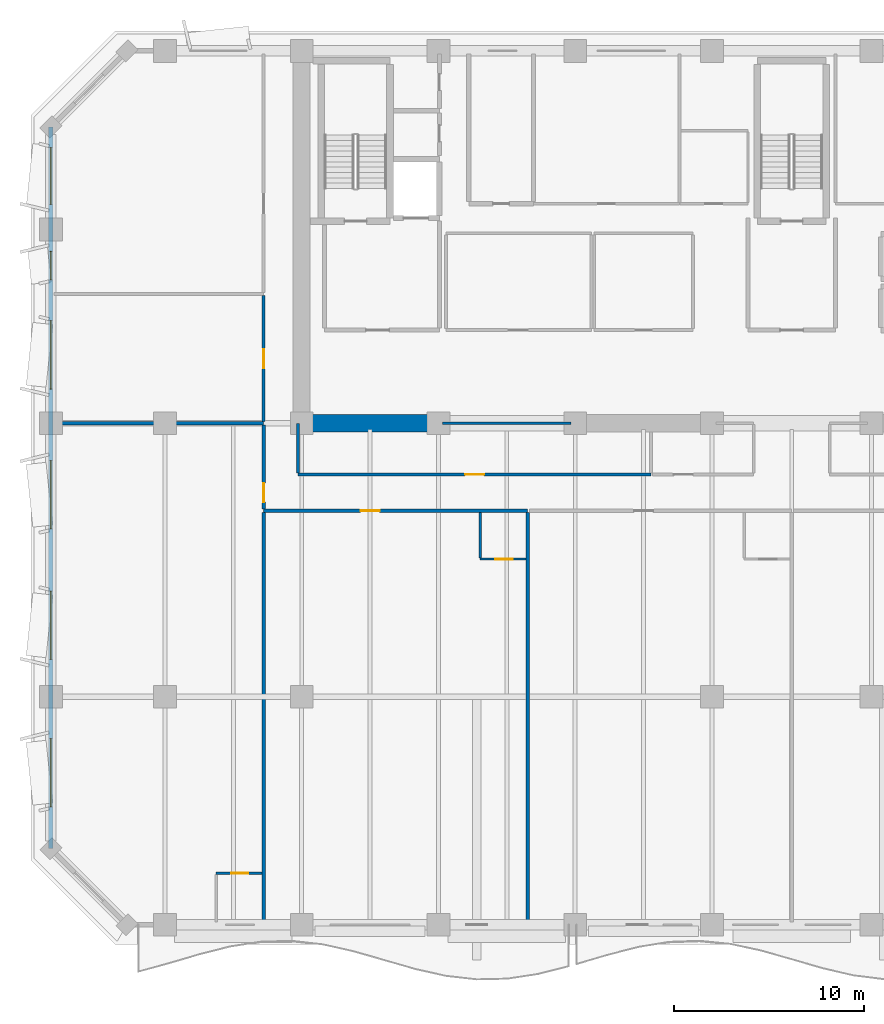
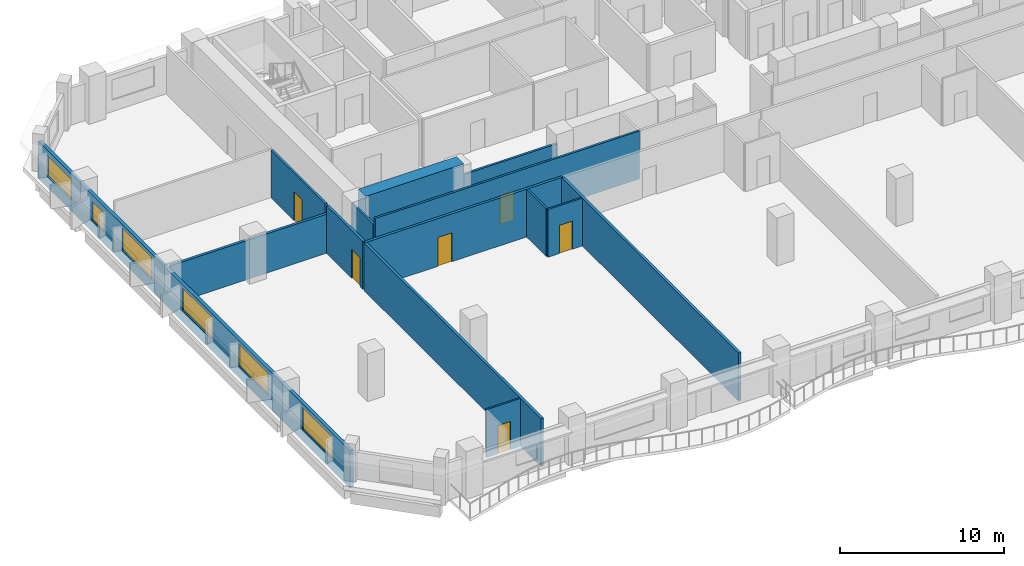
# One storey, part 4 of 14: 14 walls, 6 doors, 6 windows, 12 openings.
"""IFC4 building model written with IfcOpenShell, lengths in metres."""

from ifc_helpers import new_model, si_unit, direction, frame, frame_2d, origin, place, context, subcontext, project, spatial, rectangle, extrude, material, layer, layer_set, type_object, element, fill, save


model = new_model("IFC4")

# Units and contexts
model_context = context("Model", 3, precision=1e-05, world=origin(), true_north=direction((0.0, 1.0)))
body_context = subcontext(model_context, "Body", "Model", "MODEL_VIEW")
ifc_project = project(units=[si_unit("LENGTHUNIT", "METRE"), si_unit("AREAUNIT", "SQUARE_METRE"), si_unit("VOLUMEUNIT", "CUBIC_METRE"), si_unit("PLANEANGLEUNIT", "RADIAN"), si_unit("MASSUNIT", "GRAM", prefix="KILO")], contexts=[model_context])

# Site, building, storey
site_placement = place(None, origin())
site = spatial("IfcSite", under=ifc_project, at=site_placement, CompositionType="ELEMENT")
building_placement = place(site_placement, origin())
building = spatial("IfcBuilding", under=site, at=building_placement, Name="Kaelvorn Grand Hotel", CompositionType="ELEMENT")
storey_placement = place(building_placement, frame((0.0, 0.0, 212.949951171875)))
storey = spatial("IfcBuildingStorey", under=building, at=storey_placement, Name="L52", CompositionType="ELEMENT", Elevation=212.949951171875)

# Wall
ifc_material_1 = material(Name="Concrete C60/75", Category="concrete")
ifc_layer_1 = layer(ifc_material_1, 0.89990234375)
ifc_layer_set_1 = layer_set([ifc_layer_1], Name="Concrete C60/75")
wall_type_1 = type_object("IfcWallType", Name="WL-CORE-900-C60", PredefinedType="SHEAR", material=ifc_layer_set_1)
wall_1_placement = place(storey_placement, frame((16.655029296875, 29.39990234375, 0.0), z_axis=(0.0, 0.0, 1.0), x_axis=(1.0, 0.0, 0.0)))
element("IfcWall", 1, at=wall_1_placement, inside=storey, type_object=wall_type_1, Name="L52 Rear-Core Coupled Shear Pier S1", PredefinedType="SHEAR", context=body_context, shape_type="SweptSolid", body=[
    extrude(rectangle(XDim=6.945068359375, YDim=0.89990234375, at=frame_2d((3.47265625, 0.0))), origin(), (0.0, 0.0, 1.0), 3.56005859375),
])

# Wall, openings, windows
ifc_material_2 = material(Name="Concrete C40/50", Category="concrete")
ifc_layer_2 = layer(ifc_material_2, 0.239990234375)
ifc_layer_set_2 = layer_set([ifc_layer_2], Name="Concrete C40/50")
wall_type_2 = type_object("IfcWallType", Name="WL-EXT-240-C40", PredefinedType="SOLIDWALL", material=ifc_layer_set_2)
wall_2_placement = place(storey_placement, frame((3.0, 45.0, 0.0), z_axis=(0.0, 0.0, 1.0), x_axis=(0.0, -1.0, 0.0)))
wall_2 = element("IfcWall", 2, at=wall_2_placement, inside=storey, type_object=wall_type_2, Name="L52 Exterior Architectural Concrete Wall 07", PredefinedType="SOLIDWALL", context=body_context, shape_type="SweptSolid", body=[
    extrude(rectangle(XDim=38.0, YDim=0.239990234375, at=frame_2d((19.0, 0.0))), origin(), (0.0, 0.0, 1.0), 2.760009765625),
])
opening_1_placement = place(wall_2_placement, frame((32.199951171875, 0.0, 0.85009765625)))
opening_1 = element("IfcOpeningElement", 3, at=opening_1_placement, cuts=wall_2, Name="Opening W3", PredefinedType="OPENING", context=body_context, shape_type="SweptSolid", body=[
    extrude(rectangle(XDim=3.60009765625, YDim=1.64990234375, at=frame_2d((1.800048828125, 0.824951171875))), frame((0.0, 0.1298828125, 0.0), z_axis=(0.0, -1.0, 0.0), x_axis=(1.0, 0.0, 0.0)), (0.0, 0.0, 1.0), 0.260009765625),
])
opening_2_placement = place(wall_2_placement, frame((24.43505859375, 0.0, 0.85009765625)))
opening_2 = element("IfcOpeningElement", 4, at=opening_2_placement, cuts=wall_2, Name="Opening W3", PredefinedType="OPENING", context=body_context, shape_type="SweptSolid", body=[
    extrude(rectangle(XDim=3.60009765625, YDim=1.64990234375, at=frame_2d((1.800048828125, 0.824951171875))), frame((0.0, 0.1298828125, 0.0), z_axis=(0.0, -1.0, 0.0), x_axis=(1.0, 0.0, 0.0)), (0.0, 0.0, 1.0), 0.260009765625),
])
opening_3_placement = place(wall_2_placement, frame((17.56494140625, 0.0, 0.85009765625)))
opening_3 = element("IfcOpeningElement", 5, at=opening_3_placement, cuts=wall_2, Name="Opening W3", PredefinedType="OPENING", context=body_context, shape_type="SweptSolid", body=[
    extrude(rectangle(XDim=3.60009765625, YDim=1.64990234375, at=frame_2d((1.800048828125, 0.824951171875))), frame((0.0, 0.1298828125, 0.0), z_axis=(0.0, -1.0, 0.0), x_axis=(1.0, 0.0, 0.0)), (0.0, 0.0, 1.0), 0.260009765625),
])
opening_4_placement = place(wall_2_placement, frame((10.199951171875, 0.0, 0.85009765625)))
opening_4 = element("IfcOpeningElement", 6, at=opening_4_placement, cuts=wall_2, Name="Opening W3", PredefinedType="OPENING", context=body_context, shape_type="SweptSolid", body=[
    extrude(rectangle(XDim=3.60009765625, YDim=1.64990234375, at=frame_2d((1.800048828125, 0.824951171875))), frame((0.0, 0.1298828125, 0.0), z_axis=(0.0, -1.0, 0.0), x_axis=(1.0, 0.0, 0.0)), (0.0, 0.0, 1.0), 0.260009765625),
])
opening_5_placement = place(wall_2_placement, frame((6.550048828125, 0.0, 0.85009765625)))
opening_5 = element("IfcOpeningElement", 7, at=opening_5_placement, cuts=wall_2, Name="Opening W10", PredefinedType="OPENING", context=body_context, shape_type="SweptSolid", body=[
    extrude(rectangle(XDim=1.5, YDim=1.39990234375, at=frame_2d((0.75, 0.699951171875))), frame((0.0, 0.1298828125, 0.0), z_axis=(0.0, -1.0, 0.0), x_axis=(1.0, 0.0, 0.0)), (0.0, 0.0, 1.0), 0.260009765625),
])
opening_6_placement = place(wall_2_placement, frame((1.0849609375, 0.0, 0.85009765625)))
opening_6 = element("IfcOpeningElement", 8, at=opening_6_placement, cuts=wall_2, Name="Opening W5", PredefinedType="OPENING", context=body_context, shape_type="SweptSolid", body=[
    extrude(rectangle(XDim=3.0, YDim=1.5, at=frame_2d((1.5, 0.75))), frame((0.0, 0.1298828125, 0.0), z_axis=(0.0, -1.0, 0.0), x_axis=(1.0, 0.0, 0.0)), (0.0, 0.0, 1.0), 0.260009765625),
])
ifc_material_3 = material(Name="Laminated Low-E Glass", Category="glass")
window_type_1 = type_object("IfcWindowType", Name="WIN-COR-1500x1400", PartitioningType="SINGLE_PANEL", PredefinedType="WINDOW", material=ifc_material_3)
window_1_placement = place(opening_5_placement, origin())
window_1 = element("IfcWindow", 9, at=window_1_placement, inside=storey, type_object=window_type_1, Name="L52 W Wing Tilted-Frame Ribbon Window W05", OverallHeight=1.39990234375, OverallWidth=1.5, PartitioningType="SINGLE_PANEL", PredefinedType="WINDOW", context=body_context, shape_type="SweptSolid", body=[
    extrude(rectangle(XDim=1.5, YDim=1.39990234375, at=frame_2d((0.75, 0.699951171875))), frame((0.0, 0.030029296875, 0.0), z_axis=(0.0, -1.0, 0.0), x_axis=(1.0, 0.0, 0.0)), (0.0, 0.0, 1.0), 0.06005859375),
])
fill(opening_5, window_1)
window_type_2 = type_object("IfcWindowType", Name="WIN-NTH-3000x1500", PartitioningType="SINGLE_PANEL", PredefinedType="WINDOW", material=ifc_material_3)
window_2_placement = place(opening_6_placement, origin())
window_2 = element("IfcWindow", 10, at=window_2_placement, inside=storey, type_object=window_type_2, Name="L52 W Wing Tilted-Frame Ribbon Window W06", OverallHeight=1.5, OverallWidth=3.0, PartitioningType="SINGLE_PANEL", PredefinedType="WINDOW", context=body_context, shape_type="SweptSolid", body=[
    extrude(rectangle(XDim=3.0, YDim=1.5, at=frame_2d((1.5, 0.75))), frame((0.0, 0.030029296875, 0.0), z_axis=(0.0, -1.0, 0.0), x_axis=(1.0, 0.0, 0.0)), (0.0, 0.0, 1.0), 0.06005859375),
])
fill(opening_6, window_2)
window_type_3 = type_object("IfcWindowType", Name="WIN-RIB-3600x1750", PartitioningType="SINGLE_PANEL", PredefinedType="WINDOW", material=ifc_material_3)
window_3_placement = place(opening_1_placement, origin())
window_3 = element("IfcWindow", 11, at=window_3_placement, inside=storey, type_object=window_type_3, Name="L52 W Wing Tilted-Frame Ribbon Window W01", OverallHeight=1.64990234375, OverallWidth=3.60009765625, PartitioningType="SINGLE_PANEL", PredefinedType="WINDOW", context=body_context, shape_type="SweptSolid", body=[
    extrude(rectangle(XDim=3.60009765625, YDim=1.64990234375, at=frame_2d((1.800048828125, 0.824951171875))), frame((0.0, 0.030029296875, 0.0), z_axis=(0.0, -1.0, 0.0), x_axis=(1.0, 0.0, 0.0)), (0.0, 0.0, 1.0), 0.06005859375),
])
fill(opening_1, window_3)
window_4_placement = place(opening_2_placement, origin())
window_4 = element("IfcWindow", 12, at=window_4_placement, inside=storey, type_object=window_type_3, Name="L52 W Wing Tilted-Frame Ribbon Window W02", OverallHeight=1.64990234375, OverallWidth=3.60009765625, PartitioningType="SINGLE_PANEL", PredefinedType="WINDOW", context=body_context, shape_type="SweptSolid", body=[
    extrude(rectangle(XDim=3.60009765625, YDim=1.64990234375, at=frame_2d((1.800048828125, 0.824951171875))), frame((0.0, 0.030029296875, 0.0), z_axis=(0.0, -1.0, 0.0), x_axis=(1.0, 0.0, 0.0)), (0.0, 0.0, 1.0), 0.06005859375),
])
fill(opening_2, window_4)
window_5_placement = place(opening_3_placement, origin())
window_5 = element("IfcWindow", 13, at=window_5_placement, inside=storey, type_object=window_type_3, Name="L52 W Wing Tilted-Frame Ribbon Window W03", OverallHeight=1.64990234375, OverallWidth=3.60009765625, PartitioningType="SINGLE_PANEL", PredefinedType="WINDOW", context=body_context, shape_type="SweptSolid", body=[
    extrude(rectangle(XDim=3.60009765625, YDim=1.64990234375, at=frame_2d((1.800048828125, 0.824951171875))), frame((0.0, 0.030029296875, 0.0), z_axis=(0.0, -1.0, 0.0), x_axis=(1.0, 0.0, 0.0)), (0.0, 0.0, 1.0), 0.06005859375),
])
fill(opening_3, window_5)
window_6_placement = place(opening_4_placement, origin())
window_6 = element("IfcWindow", 14, at=window_6_placement, inside=storey, type_object=window_type_3, Name="L52 W Wing Tilted-Frame Ribbon Window W04", OverallHeight=1.64990234375, OverallWidth=3.60009765625, PartitioningType="SINGLE_PANEL", PredefinedType="WINDOW", context=body_context, shape_type="SweptSolid", body=[
    extrude(rectangle(XDim=3.60009765625, YDim=1.64990234375, at=frame_2d((1.800048828125, 0.824951171875))), frame((0.0, 0.030029296875, 0.0), z_axis=(0.0, -1.0, 0.0), x_axis=(1.0, 0.0, 0.0)), (0.0, 0.0, 1.0), 0.06005859375),
])
fill(opening_4, window_6)

# Wall, opening, door
ifc_material_4 = material(Name="Moisture-Resistant Tile & Stud Board")
ifc_layer_3 = layer(ifc_material_4, 0.125)
ifc_layer_set_3 = layer_set([ifc_layer_3], Name="Moisture-Resistant Tile & Stud Board")
wall_type_3 = type_object("IfcWallType", Name="WL-PART-125-WET", PredefinedType="PARTITIONING", material=ifc_layer_set_3)
wall_3_placement = place(storey_placement, frame((25.60009765625, 22.25, 0.0), z_axis=(0.0, 0.0, 1.0), x_axis=(1.0, 0.0, 0.0)))
wall_3 = element("IfcWall", 15, at=wall_3_placement, inside=storey, type_object=wall_type_3, Name="L52 En-suite Bathroom L52-01 S Partition", PredefinedType="PARTITIONING", context=body_context, shape_type="SweptSolid", body=[
    extrude(rectangle(XDim=2.40478515625, YDim=0.125, at=frame_2d((1.202392578125, 0.0))), origin(), (0.0, 0.0, 1.0), 3.56005859375),
])
opening_7_placement = place(wall_3_placement, frame((0.800048828125, 0.0, 0.0)))
opening_7 = element("IfcOpeningElement", 16, at=opening_7_placement, cuts=wall_3, Name="Opening DI4", PredefinedType="OPENING", context=body_context, shape_type="SweptSolid", body=[
    extrude(rectangle(XDim=0.89990234375, YDim=2.10009765625, at=frame_2d((0.449951171875, 1.050048828125))), frame((0.0, 0.072509765625, 0.0), z_axis=(0.0, -1.0, 0.0), x_axis=(1.0, 0.0, 0.0)), (0.0, 0.0, 1.0), 0.14501953125),
])
ifc_material_5 = material(Name="Timber Veneer Leaf", Category="wood")
door_type_1 = type_object("IfcDoorType", Name="DR-INT-BATH-900x2100", OperationType="NOTDEFINED", PredefinedType="DOOR", material=ifc_material_5)
door_1_placement = place(opening_7_placement, origin())
door_1 = element("IfcDoor", 17, at=door_1_placement, inside=storey, type_object=door_type_1, Name="L52 En-suite Bathroom L52-01 Door", OperationType="SINGLE_SWING_LEFT", OverallHeight=2.10009765625, OverallWidth=0.89990234375, PredefinedType="DOOR", context=body_context, shape_type="SweptSolid", body=[
    extrude(rectangle(XDim=0.89990234375, YDim=2.10009765625, at=frame_2d((0.449951171875, 1.050048828125))), frame((0.0, 0.02490234375, 0.0), z_axis=(0.0, -1.0, 0.0), x_axis=(1.0, 0.0, 0.0)), (0.0, 0.0, 1.0), 0.050048828125),
])
fill(opening_7, door_1)

# Wall
wall_4_placement = place(storey_placement, frame((25.60009765625, 22.3173828125, 0.0), z_axis=(0.0, 0.0, 1.0), x_axis=(0.0, 1.0, 0.0)))
element("IfcWall", 18, at=wall_4_placement, inside=storey, type_object=wall_type_3, Name="L52 En-suite Bathroom L52-01 W Partition", PredefinedType="PARTITIONING", context=body_context, shape_type="SweptSolid", body=[
    extrude(rectangle(XDim=2.3876953125, YDim=0.125, at=frame_2d((1.19384765625, 0.0))), origin(), (0.0, 0.0, 1.0), 3.56005859375),
])

# Wall, opening, door
wall_5_placement = place(storey_placement, frame((11.699951171875, 5.699951171875, 0.0), z_axis=(0.0, 0.0, 1.0), x_axis=(1.0, 0.0, 0.0)))
wall_5 = element("IfcWall", 19, at=wall_5_placement, inside=storey, type_object=wall_type_3, Name="L52 En-suite Bathroom L52-05 N Partition", PredefinedType="PARTITIONING", context=body_context, shape_type="SweptSolid", body=[
    extrude(rectangle(XDim=2.405029296875, YDim=0.125, at=frame_2d((1.20263671875, 0.0))), origin(), (0.0, 0.0, 1.0), 3.56005859375),
])
opening_8_placement = place(wall_5_placement, frame((0.800048828125, 0.0, 0.0)))
opening_8 = element("IfcOpeningElement", 20, at=opening_8_placement, cuts=wall_5, Name="Opening DI4", PredefinedType="OPENING", context=body_context, shape_type="SweptSolid", body=[
    extrude(rectangle(XDim=0.89990234375, YDim=2.10009765625, at=frame_2d((0.449951171875, 1.050048828125))), frame((0.0, 0.072509765625, 0.0), z_axis=(0.0, -1.0, 0.0), x_axis=(1.0, 0.0, 0.0)), (0.0, 0.0, 1.0), 0.14501953125),
])
door_2_placement = place(opening_8_placement, origin())
door_2 = element("IfcDoor", 21, at=door_2_placement, inside=storey, type_object=door_type_1, Name="L52 En-suite Bathroom L52-05 Door", OperationType="SINGLE_SWING_LEFT", OverallHeight=2.10009765625, OverallWidth=0.89990234375, PredefinedType="DOOR", context=body_context, shape_type="SweptSolid", body=[
    extrude(rectangle(XDim=0.89990234375, YDim=2.10009765625, at=frame_2d((0.449951171875, 1.050048828125))), frame((0.0, 0.02490234375, 0.0), z_axis=(0.0, -1.0, 0.0), x_axis=(1.0, 0.0, 0.0)), (0.0, 0.0, 1.0), 0.050048828125),
])
fill(opening_8, door_2)

ifc_material_6 = material(Name="Acoustic Gypsum & Stud Partition")
ifc_layer_4 = layer(ifc_material_6, 0.14990234375)
ifc_layer_set_4 = layer_set([ifc_layer_4], Name="Acoustic Gypsum & Stud Partition")
wall_type_4 = type_object("IfcWallType", Name="WL-PART-150-EI60", PredefinedType="PARTITIONING", material=ifc_layer_set_4)
wall_6_placement = place(storey_placement, frame((16.0, 26.699951171875, 0.0), z_axis=(0.0, 0.0, 1.0), x_axis=(1.0, 0.0, 0.0)))
wall_6 = element("IfcWall", 22, at=wall_6_placement, inside=storey, type_object=wall_type_4, Name="L52 Botanical Conservatory Salon S Partition", PredefinedType="PARTITIONING", context=body_context, shape_type="SweptSolid", body=[
    extrude(rectangle(XDim=18.60009765625, YDim=0.14990234375, at=frame_2d((9.300048828125, 0.0))), origin(), (0.0, 0.0, 1.0), 3.56005859375),
])
opening_9_placement = place(wall_6_placement, frame((8.800048828125, 0.0, 0.0)))
opening_9 = element("IfcOpeningElement", 23, at=opening_9_placement, cuts=wall_6, Name="Opening DI3", PredefinedType="OPENING", context=body_context, shape_type="SweptSolid", body=[
    extrude(rectangle(XDim=1.0, YDim=2.14990234375, at=frame_2d((0.5, 1.074951171875))), frame((0.0, 0.0849609375, 0.0), z_axis=(0.0, -1.0, 0.0), x_axis=(1.0, 0.0, 0.0)), (0.0, 0.0, 1.0), 0.169921875),
])
ifc_material_7 = material(Name="Timber Veneer Fire Leaf", Category="wood")
door_type_2 = type_object("IfcDoorType", Name="DR-INT-GUEST-1000x2150", OperationType="NOTDEFINED", PredefinedType="DOOR", material=ifc_material_7)
door_3_placement = place(opening_9_placement, origin())
door_3 = element("IfcDoor", 24, at=door_3_placement, inside=storey, type_object=door_type_2, Name="L52 Botanical Conservatory Salon Door", OperationType="SINGLE_SWING_RIGHT", OverallHeight=2.14990234375, OverallWidth=1.0, PredefinedType="DOOR", context=body_context, shape_type="SweptSolid", body=[
    extrude(rectangle(XDim=1.0, YDim=2.14990234375, at=frame_2d((0.5, 1.074951171875))), frame((0.0, 0.02490234375, 0.0), z_axis=(0.0, -1.0, 0.0), x_axis=(1.0, 0.0, 0.0)), (0.0, 0.0, 1.0), 0.050048828125),
])
fill(opening_9, door_3)

# Walls
wall_7_placement = place(storey_placement, frame((23.610107421875, 29.39990234375, 0.0), z_axis=(0.0, 0.0, 1.0), x_axis=(1.0, 0.0, 0.0)))
element("IfcWall", 25, at=wall_7_placement, inside=storey, type_object=wall_type_4, Name="L52 Botanical Conservatory Salon N Partition", PredefinedType="PARTITIONING", context=body_context, shape_type="SweptSolid", body=[
    extrude(rectangle(XDim=6.77978515625, YDim=0.14990234375, at=frame_2d((3.389892578125, 0.0))), origin(), (0.0, 0.0, 1.0), 2.4599609375),
])
wall_8_placement = place(storey_placement, frame((16.0, 26.780029296875, 0.0), z_axis=(0.0, 0.0, 1.0), x_axis=(0.0, 1.0, 0.0)))
element("IfcWall", 26, at=wall_8_placement, inside=storey, type_object=wall_type_4, Name="L52 Botanical Conservatory Salon W Partition", PredefinedType="PARTITIONING", context=body_context, shape_type="SweptSolid", body=[
    extrude(rectangle(XDim=2.60986328125, YDim=0.14990234375, at=frame_2d((1.304931640625, 0.0))), origin(), (0.0, 0.0, 1.0), 3.06005859375),
])

# Wall, opening, door
wall_9_placement = place(storey_placement, frame((14.199951171875, 29.4951171875, 0.0), z_axis=(0.0, 0.0, 1.0), x_axis=(0.0, 1.0, 0.0)))
wall_9 = element("IfcWall", 27, at=wall_9_placement, inside=storey, type_object=wall_type_4, Name="L52 North-West Botanical Conservatory Salon E Partition", PredefinedType="PARTITIONING", context=body_context, shape_type="SweptSolid", body=[
    extrude(rectangle(XDim=6.625, YDim=0.14990234375, at=frame_2d((3.3125, 0.0))), origin(), (0.0, 0.0, 1.0), 3.56005859375),
])
opening_10_placement = place(wall_9_placement, frame((2.804931640625, 0.0, 0.0)))
opening_10 = element("IfcOpeningElement", 28, at=opening_10_placement, cuts=wall_9, Name="Opening DI3", PredefinedType="OPENING", context=body_context, shape_type="SweptSolid", body=[
    extrude(rectangle(XDim=1.0, YDim=2.14990234375, at=frame_2d((0.5, 1.074951171875))), frame((0.0, 0.0849609375, 0.0), z_axis=(0.0, -1.0, 0.0), x_axis=(1.0, 0.0, 0.0)), (0.0, 0.0, 1.0), 0.169921875),
])
door_4_placement = place(opening_10_placement, origin())
door_4 = element("IfcDoor", 29, at=door_4_placement, inside=storey, type_object=door_type_2, Name="L52 North-West Botanical Conservatory Salon Door", OperationType="SINGLE_SWING_RIGHT", OverallHeight=2.14990234375, OverallWidth=1.0, PredefinedType="DOOR", context=body_context, shape_type="SweptSolid", body=[
    extrude(rectangle(XDim=1.0, YDim=2.14990234375, at=frame_2d((0.5, 1.074951171875))), frame((0.0, 0.02490234375, 0.0), z_axis=(0.0, -1.0, 0.0), x_axis=(1.0, 0.0, 0.0)), (0.0, 0.0, 1.0), 0.050048828125),
])
fill(opening_10, door_4)

ifc_layer_5 = layer(ifc_material_6, 0.179931640625)
ifc_layer_set_5 = layer_set([ifc_layer_5], Name="Acoustic Gypsum & Stud Partition")
wall_type_5 = type_object("IfcWallType", Name="WL-PART-180-EI60", PredefinedType="PARTITIONING", material=ifc_layer_set_5)
wall_10_placement = place(storey_placement, frame((14.199951171875, 24.800048828125, 0.0), z_axis=(0.0, 0.0, 1.0), x_axis=(1.0, 0.0, 0.0)))
wall_10 = element("IfcWall", 30, at=wall_10_placement, inside=storey, type_object=wall_type_5, Name="L52 Presidential Sky Suite L52-01 N Partition", PredefinedType="PARTITIONING", context=body_context, shape_type="SweptSolid", body=[
    extrude(rectangle(XDim=13.900146484375, YDim=0.179931640625, at=frame_2d((6.9501953125, 0.0))), origin(), (0.0, 0.0, 1.0), 3.56005859375),
])
opening_11_placement = place(wall_10_placement, frame((5.10009765625, 0.0, 0.0)))
opening_11 = element("IfcOpeningElement", 31, at=opening_11_placement, cuts=wall_10, Name="Opening DI3", PredefinedType="OPENING", context=body_context, shape_type="SweptSolid", body=[
    extrude(rectangle(XDim=1.0, YDim=2.14990234375, at=frame_2d((0.5, 1.074951171875))), frame((0.0, 0.10009765625, 0.0), z_axis=(0.0, -1.0, 0.0), x_axis=(1.0, 0.0, 0.0)), (0.0, 0.0, 1.0), 0.199951171875),
])
door_5_placement = place(opening_11_placement, origin())
door_5 = element("IfcDoor", 32, at=door_5_placement, inside=storey, type_object=door_type_2, Name="L52 Presidential Sky Suite L52-01 Door", OperationType="SINGLE_SWING_RIGHT", OverallHeight=2.14990234375, OverallWidth=1.0, PredefinedType="DOOR", context=body_context, shape_type="SweptSolid", body=[
    extrude(rectangle(XDim=1.0, YDim=2.14990234375, at=frame_2d((0.5, 1.074951171875))), frame((0.0, 0.02490234375, 0.0), z_axis=(0.0, -1.0, 0.0), x_axis=(1.0, 0.0, 0.0)), (0.0, 0.0, 1.0), 0.050048828125),
])
fill(opening_11, door_5)

# Walls
for number, where, z_axis, x_axis, name in (
    (33, (14.199951171875, 3.14990234375, 0.0), (0.0, 0.0, 1.0), (0.0, 1.0, 0.0), "L52 Presidential Sky Suite L52-01 W Partition"),
    (34, (28.10009765625, 3.14990234375, 0.0), (0.0, 0.0, 1.0), (0.0, 1.0, 0.0), "L52 Presidential Sky Suite L52-01 E Partition"),
):
    element("IfcWall", number, at=place(storey_placement, frame(where, z_axis=z_axis, x_axis=x_axis)), inside=storey, type_object=wall_type_5, Name=name, PredefinedType="PARTITIONING", context=body_context, shape_type="SweptSolid", body=[
        extrude(rectangle(XDim=21.55517578125, YDim=0.179931640625, at=frame_2d((10.777587890625, 0.0))), origin(), (0.0, 0.0, 1.0), 3.56005859375),
    ])
wall_11_placement = place(storey_placement, frame((3.14990234375, 29.39990234375, 0.0), z_axis=(0.0, 0.0, 1.0), x_axis=(1.0, 0.0, 0.0)))
element("IfcWall", 35, at=wall_11_placement, inside=storey, type_object=wall_type_5, Name="L52 Presidential Sky Suite L52-05 N Partition", PredefinedType="PARTITIONING", context=body_context, shape_type="SweptSolid", body=[
    extrude(rectangle(XDim=11.050048828125, YDim=0.179931640625, at=frame_2d((5.52490234375, 0.0))), origin(), (0.0, 0.0, 1.0), 2.91015625),
])

# Wall, opening, door
wall_12_placement = place(storey_placement, frame((14.199951171875, 24.89501953125, 0.0), z_axis=(0.0, 0.0, 1.0), x_axis=(0.0, 1.0, 0.0)))
wall_12 = element("IfcWall", 36, at=wall_12_placement, inside=storey, type_object=wall_type_5, Name="L52 Presidential Sky Suite L52-05 E Partition", PredefinedType="PARTITIONING", context=body_context, shape_type="SweptSolid", body=[
    extrude(rectangle(XDim=4.409912109375, YDim=0.179931640625, at=frame_2d((2.205078125, 0.0))), origin(), (0.0, 0.0, 1.0), 3.56005859375),
])
opening_12_placement = place(wall_12_placement, frame((0.35498046875, 0.0, 0.0)))
opening_12 = element("IfcOpeningElement", 37, at=opening_12_placement, cuts=wall_12, Name="Opening DI3", PredefinedType="OPENING", context=body_context, shape_type="SweptSolid", body=[
    extrude(rectangle(XDim=1.0, YDim=2.14990234375, at=frame_2d((0.5, 1.074951171875))), frame((0.0, 0.10009765625, 0.0), z_axis=(0.0, -1.0, 0.0), x_axis=(1.0, 0.0, 0.0)), (0.0, 0.0, 1.0), 0.199951171875),
])
door_6_placement = place(opening_12_placement, origin())
door_6 = element("IfcDoor", 38, at=door_6_placement, inside=storey, type_object=door_type_2, Name="L52 Presidential Sky Suite L52-05 Door", OperationType="SINGLE_SWING_RIGHT", OverallHeight=2.14990234375, OverallWidth=1.0, PredefinedType="DOOR", context=body_context, shape_type="SweptSolid", body=[
    extrude(rectangle(XDim=1.0, YDim=2.14990234375, at=frame_2d((0.5, 1.074951171875))), frame((0.0, 0.02490234375, 0.0), z_axis=(0.0, -1.0, 0.0), x_axis=(1.0, 0.0, 0.0)), (0.0, 0.0, 1.0), 0.050048828125),
])
fill(opening_12, door_6)

save(model, "model.ifc")
